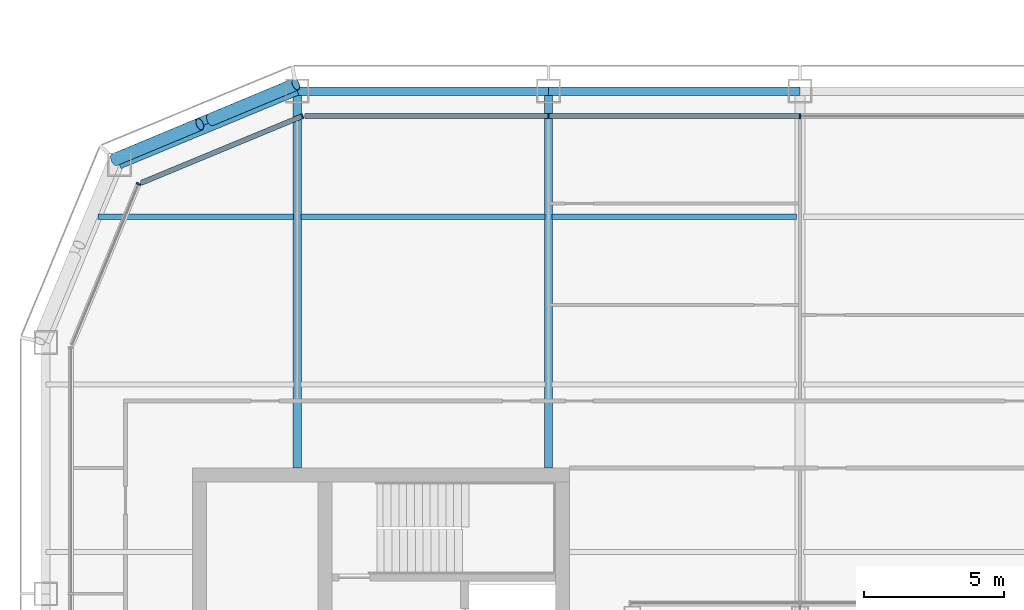
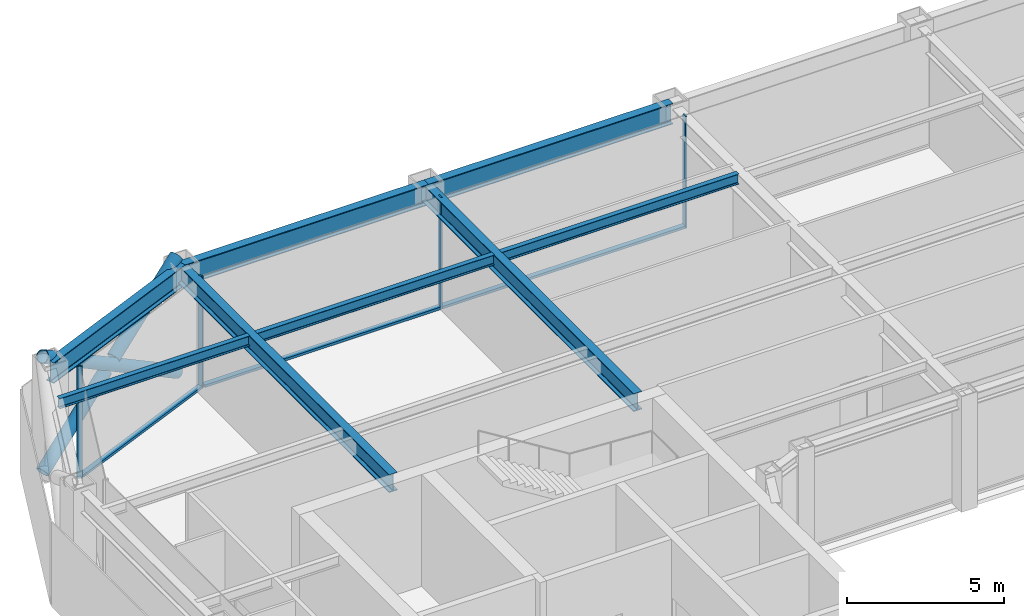
# One storey, part 8 of 23: 10 members, 8 beams, 3 elements without a shape of their own.
"""IFC4 building model written with IfcOpenShell, lengths in metres."""

from ifc_helpers import new_model, si_unit, direction, frame, origin, origin_2d, place, context, subcontext, project, spatial, rectangle, hollow_circle, i_section, extrude, material, layer, layer_set, material_profile, profile_set, type_object, element, aggregate, save


model = new_model("IFC4")

# Units and contexts
model_context = context("Model", 3, precision=1e-05, world=origin(), true_north=direction((0.0, 1.0)))
body_context = subcontext(model_context, "Body", "Model", "MODEL_VIEW")
ifc_project = project(units=[si_unit("LENGTHUNIT", "METRE"), si_unit("AREAUNIT", "SQUARE_METRE"), si_unit("VOLUMEUNIT", "CUBIC_METRE"), si_unit("PLANEANGLEUNIT", "RADIAN"), si_unit("MASSUNIT", "GRAM", prefix="KILO")], contexts=[model_context])

# Site, building, storey
site_placement = place(None, origin())
site = spatial("IfcSite", under=ifc_project, at=site_placement, CompositionType="ELEMENT")
building_placement = place(site_placement, origin())
building = spatial("IfcBuilding", under=site, at=building_placement, Name="Siwar Civic Tower", CompositionType="ELEMENT")
storey_placement = place(building_placement, frame((0.0, 0.0, 206.199951171875)))
storey = spatial("IfcBuildingStorey", under=building, at=storey_placement, Name="L44", CompositionType="ELEMENT", Elevation=206.199951171875)

# Curtain wall, members
ifc_material_1 = material(Name="Aluminium and glass", Category="aluminium")
ifc_layer_1 = layer(ifc_material_1, 0.179931640625)
ifc_layer_set_1 = layer_set([ifc_layer_1], Name="Aluminium and glass")
curtain_wall_type_1 = type_object("IfcCurtainWallType", Name="ENV-CW-C", PredefinedType="NOTDEFINED", material=ifc_layer_set_1)
curtain_wall_1_placement = place(storey_placement, origin())
curtain_wall_1 = element("IfcCurtainWall", 1, at=curtain_wall_1_placement, inside=storey, type_object=curtain_wall_type_1, Name="Curtain wall C N", PredefinedType="NOTDEFINED")
ifc_material_2 = material(Name="Aluminium 6063-T6", Category="aluminium")
ifc_material_profile_1 = material_profile(ifc_material_2, rectangle(XDim=0.179931640625, YDim=0.06005859375, at=origin_2d()), Name="AL 180x60")
ifc_profile_set_1 = profile_set([ifc_material_profile_1], Name="Aluminium 6063-T6")
member_type_1 = type_object("IfcMemberType", Name="ENV-MULLION-C", PredefinedType="MULLION", material=ifc_profile_set_1)
member_1_placement = place(storey_placement, frame((0.0, 26.10009765625, 0.0), z_axis=(0.0, 0.0, 1.0), x_axis=(0.0, -1.0, 0.0)))
member_1 = element("IfcMember", 2, at=member_1_placement, type_object=member_type_1, Name="Mullion C N 3", PredefinedType="MULLION", context=body_context, shape_type="SweptSolid", body=[
    extrude(rectangle(XDim=0.179931640625, YDim=0.06005859375, at=origin_2d()), origin(), (0.0, 0.0, 1.0), 4.35009765625),
])
member_2_placement = place(storey_placement, frame((-9.0, 26.10009765625, 0.0), z_axis=(0.0, 0.0, 1.0), x_axis=(0.0, -1.0, 0.0)))
member_2 = element("IfcMember", 3, at=member_2_placement, type_object=member_type_1, Name="Mullion C N 4", PredefinedType="MULLION", context=body_context, shape_type="SweptSolid", body=[
    extrude(rectangle(XDim=0.179931640625, YDim=0.06005859375, at=origin_2d()), origin(), (0.0, 0.0, 1.0), 4.35009765625),
])

# Curtain wall, member
ifc_material_3 = material(Name="Aluminium clad insulated panel", Category="aluminium")
ifc_layer_2 = layer(ifc_material_3, 0.179931640625)
ifc_layer_set_2 = layer_set([ifc_layer_2], Name="Aluminium clad insulated panel")
curtain_wall_type_2 = type_object("IfcCurtainWallType", Name="ENV-CW-CX", PredefinedType="NOTDEFINED", material=ifc_layer_set_2)
curtain_wall_2_placement = place(storey_placement, origin())
curtain_wall_2 = element("IfcCurtainWall", 4, at=curtain_wall_2_placement, inside=storey, type_object=curtain_wall_type_2, Name="Curtain wall C NW1", PredefinedType="NOTDEFINED")
member_3_placement = place(storey_placement, frame((-17.821044921875, 26.10009765625, 0.0), z_axis=(0.0, 0.0, 1.0), x_axis=(0.382683432365, -0.923879532511, 0.0)))
member_3 = element("IfcMember", 5, at=member_3_placement, type_object=member_type_1, Name="Mullion C NW1 1", PredefinedType="MULLION", context=body_context, shape_type="SweptSolid", body=[
    extrude(rectangle(XDim=0.179931640625, YDim=0.06005859375, at=origin_2d()), origin(), (0.0, 0.0, 1.0), 4.35009765625),
])

curtain_wall_3_placement = place(storey_placement, origin())
curtain_wall_3 = element("IfcCurtainWall", 6, at=curtain_wall_3_placement, inside=storey, type_object=curtain_wall_type_2, Name="Curtain wall C NW2", PredefinedType="NOTDEFINED")
member_4_placement = place(storey_placement, frame((-23.675048828125, 23.675048828125, 0.0), z_axis=(0.0, 0.0, 1.0), x_axis=(0.923879532511, -0.382683432365, 0.0)))
member_4 = element("IfcMember", 7, at=member_4_placement, type_object=member_type_1, Name="Mullion C NW2 1", PredefinedType="MULLION", context=body_context, shape_type="SweptSolid", body=[
    extrude(rectangle(XDim=0.179931640625, YDim=0.06005859375, at=origin_2d()), origin(), (0.0, 0.0, 1.0), 4.35009765625),
])
aggregate(curtain_wall_3, [member_4])

# Member
ifc_material_4 = material(Name="Aluminium 6063-T6", Category="aluminium")
ifc_material_profile_2 = material_profile(ifc_material_4, rectangle(XDim=0.179931640625, YDim=0.10009765625, at=origin_2d()), Name="AL 180x100")
ifc_profile_set_2 = profile_set([ifc_material_profile_2], Name="Aluminium 6063-T6")
member_type_2 = type_object("IfcMemberType", Name="ENV-TRANSOM-C", PredefinedType="USERDEFINED", material=ifc_profile_set_2)
member_5_placement = place(storey_placement, frame((-0.030029296875, 26.10009765625, 0.050048828125), z_axis=(-1.0, 0.0, 0.0), x_axis=(0.0, -1.0, 0.0)))
member_5 = element("IfcMember", 8, at=member_5_placement, type_object=member_type_2, Name="Transom C N 3", ObjectType="TRANSOM", PredefinedType="USERDEFINED", context=body_context, shape_type="SweptSolid", body=[
    extrude(rectangle(XDim=0.179931640625, YDim=0.10009765625, at=origin_2d()), origin(), (0.0, 0.0, 1.0), 8.93994140625),
])

member_6_placement = place(storey_placement, frame((-9.030029296875, 26.10009765625, 0.050048828125), z_axis=(-1.0, 0.0, 0.0), x_axis=(0.0, -1.0, 0.0)))
member_6 = element("IfcMember", 9, at=member_6_placement, type_object=member_type_2, Name="Transom C N 4", ObjectType="TRANSOM", PredefinedType="USERDEFINED", context=body_context, shape_type="SweptSolid", body=[
    extrude(rectangle(XDim=0.179931640625, YDim=0.10009765625, at=origin_2d()), origin(), (0.0, 0.0, 1.0), 8.68603515625),
])

aggregate(curtain_wall_1, [member_1, member_2, member_5, member_6])

member_7_placement = place(storey_placement, frame((-17.8486328125, 26.088623046875, 0.050048828125), z_axis=(-0.923882011223, -0.38267744817, 0.0), x_axis=(0.38267744817, -0.923882011223, 0.0)))
member_7 = element("IfcMember", 10, at=member_7_placement, type_object=member_type_2, Name="Transom C NW1 1", ObjectType="TRANSOM", PredefinedType="USERDEFINED", context=body_context, shape_type="SweptSolid", body=[
    extrude(rectangle(XDim=0.179931640625, YDim=0.10009765625, at=origin_2d()), origin(), (0.0, 0.0, 1.0), 6.201904296875),
])

aggregate(curtain_wall_2, [member_3, member_7])

# Members
ifc_material_5 = material(Name="Steel S355", Category="steel")
ifc_material_profile_3 = material_profile(ifc_material_5, hollow_circle(Radius=0.228515625, WallThickness=0.02001953125, at=origin_2d()), Name="CHS457x20")
ifc_profile_set_3 = profile_set([ifc_material_profile_3], Name="Steel S355")
member_type_3 = type_object("IfcMemberType", Name="STR-BR-CHS457x20", PredefinedType="BRACE", material=ifc_profile_set_3)
member_8_placement = place(storey_placement, frame((-18.048828125, 27.2451171875, 0.0), z_axis=(-0.777554562952, -0.323905527954, 0.538975055633), x_axis=(0.384538969033, -0.923108759191, 0.0)))
element("IfcMember", 11, at=member_8_placement, inside=storey, type_object=member_type_3, Name="L44/brc/CNW1-4-0-0", PredefinedType="BRACE", context=body_context, shape_type="SweptSolid", body=[
    extrude(hollow_circle(Radius=0.228515625, WallThickness=0.02001953125, at=origin_2d()), origin(), (0.0, 0.0, 1.0), 8.34912109375),
])
for number, where, z_axis, x_axis, name in (
    (12, (-24.540771484375, 24.540771484375, 0.0), (0.777546448489, 0.323884455881, 0.538999424564), (-0.38452107079, 0.92311621485, 0.0), "L44/brc/CNW1-4-0-4"),
    (13, (-21.10302734375, 25.972900390625, 2.383056640625), (0.777572496853, 0.323895306243, 0.538955325357), (-0.38452107079, 0.92311621485, 0.0), "L44/brc/CNW1-4-0-5"),
):
    element("IfcMember", number, at=place(storey_placement, frame(where, z_axis=z_axis, x_axis=x_axis)), inside=storey, type_object=member_type_3, Name=name, PredefinedType="BRACE", context=body_context, shape_type="SweptSolid", body=[
        extrude(hollow_circle(Radius=0.228515625, WallThickness=0.02001953125, at=origin_2d()), origin(), (0.0, 0.0, 1.0), 3.927978515625),
    ])

# Beams
ifc_material_6 = material(Name="Steel S355", Category="steel")
ifc_material_profile_4 = material_profile(ifc_material_6, i_section(OverallWidth=0.179931640625, OverallDepth=0.39990234375, WebThickness=0.008544921875, FlangeThickness=0.013427734375, FilletRadius=0.02099609375, at=origin_2d()), Name="IPE400")
ifc_profile_set_4 = profile_set([ifc_material_profile_4], Name="Steel S355")
beam_type_1 = type_object("IfcBeamType", Name="STR-FB-IPE400", PredefinedType="JOIST", material=ifc_profile_set_4)
beam_1_placement = place(storey_placement, frame((-25.135986328125, 22.5, 4.150146484375), z_axis=(1.0, 0.0, 0.0), x_axis=(0.0, 1.0, 0.0)))
element("IfcBeam", 14, at=beam_1_placement, inside=storey, type_object=beam_type_1, Name="L44/bm/F037", PredefinedType="JOIST", context=body_context, shape_type="SweptSolid", body=[
    extrude(i_section(OverallWidth=0.179931640625, OverallDepth=0.39990234375, WebThickness=0.008544921875, FlangeThickness=0.013427734375, FilletRadius=0.02099609375, at=origin_2d()), origin(), (0.0, 0.0, 1.0), 7.006103515625),
])
for number, where, z_axis, x_axis, name in (
    (15, (-17.8701171875, 22.5, 4.150146484375), (1.0, 0.0, 0.0), (0.0, 1.0, 0.0), "L44/bm/F038"),
    (16, (-8.8701171875, 22.5, 4.150146484375), (1.0, 0.0, 0.0), (0.0, 1.0, 0.0), "L44/bm/F039"),
):
    element("IfcBeam", number, at=place(storey_placement, frame(where, z_axis=z_axis, x_axis=x_axis)), inside=storey, type_object=beam_type_1, Name=name, PredefinedType="JOIST", context=body_context, shape_type="SweptSolid", body=[
        extrude(i_section(OverallWidth=0.179931640625, OverallDepth=0.39990234375, WebThickness=0.008544921875, FlangeThickness=0.013427734375, FilletRadius=0.02099609375, at=origin_2d()), origin(), (0.0, 0.0, 1.0), 8.740234375),
    ])
ifc_material_7 = material(Name="Steel S355", Category="steel")
ifc_material_profile_5 = material_profile(ifc_material_7, i_section(OverallWidth=0.300048828125, OverallDepth=0.699951171875, WebThickness=0.01708984375, FlangeThickness=0.031982421875, FilletRadius=0.027099609375, at=origin_2d()), Name="HEB700")
ifc_profile_set_5 = profile_set([ifc_material_profile_5], Name="Steel S355")
beam_type_2 = type_object("IfcBeamType", Name="STR-PG-HEB700", PredefinedType="BEAM", material=ifc_profile_set_5)
for number, where, z_axis, x_axis, name in (
    (17, (-18.0, 13.5, 4.0), (0.0, 1.0, 0.0), (-1.0, 0.0, 0.0), "L44/bm/G02"),
    (18, (-9.0, 13.5, 4.0), (0.0, 1.0, 0.0), (-1.0, 0.0, 0.0), "L44/bm/G04"),
):
    element("IfcBeam", number, at=place(storey_placement, frame(where, z_axis=z_axis, x_axis=x_axis)), inside=storey, type_object=beam_type_2, Name=name, PredefinedType="BEAM", context=body_context, shape_type="SweptSolid", body=[
        extrude(i_section(OverallWidth=0.300048828125, OverallDepth=0.699951171875, WebThickness=0.01708984375, FlangeThickness=0.031982421875, FilletRadius=0.027099609375, at=origin_2d()), origin(), (0.0, 0.0, 1.0), 13.5),
    ])
ifc_material_8 = material(Name="Steel S355", Category="steel")
ifc_material_profile_6 = material_profile(ifc_material_8, i_section(OverallWidth=0.300048828125, OverallDepth=0.800048828125, WebThickness=0.017578125, FlangeThickness=0.032958984375, FilletRadius=0.030029296875, at=origin_2d()), Name="HEB800")
ifc_profile_set_6 = profile_set([ifc_material_profile_6], Name="Steel S355")
beam_type_3 = type_object("IfcBeamType", Name="STR-SB-HEB800", PredefinedType="BEAM", material=ifc_profile_set_6)
for number, where, z_axis, x_axis, name in (
    (19, (0.0, 27.0, 3.949951171875), (-1.0, 0.0, 0.0), (0.0, -1.0, 0.0), "L44/bm/SN-2"),
    (20, (-9.0, 27.0, 3.949951171875), (-1.0, 0.0, 0.0), (0.0, -1.0, 0.0), "L44/bm/SN-3"),
):
    element("IfcBeam", number, at=place(storey_placement, frame(where, z_axis=z_axis, x_axis=x_axis)), inside=storey, type_object=beam_type_3, Name=name, PredefinedType="BEAM", context=body_context, shape_type="SweptSolid", body=[
        extrude(i_section(OverallWidth=0.300048828125, OverallDepth=0.800048828125, WebThickness=0.017578125, FlangeThickness=0.032958984375, FilletRadius=0.030029296875, at=origin_2d()), origin(), (0.0, 0.0, 1.0), 9.0),
    ])
beam_2_placement = place(storey_placement, frame((-18.0, 27.0, 3.949951171875), z_axis=(-0.923883353507, -0.382674207535, 0.0), x_axis=(0.382674207535, -0.923883353507, 0.0)))
element("IfcBeam", 21, at=beam_2_placement, inside=storey, type_object=beam_type_3, Name="L44/bm/SNW1-0", PredefinedType="BEAM", context=body_context, shape_type="SweptSolid", body=[
    extrude(i_section(OverallWidth=0.300048828125, OverallDepth=0.800048828125, WebThickness=0.017578125, FlangeThickness=0.032958984375, FilletRadius=0.030029296875, at=origin_2d()), origin(), (0.0, 0.0, 1.0), 6.888427734375),
])

save(model, "model.ifc")
